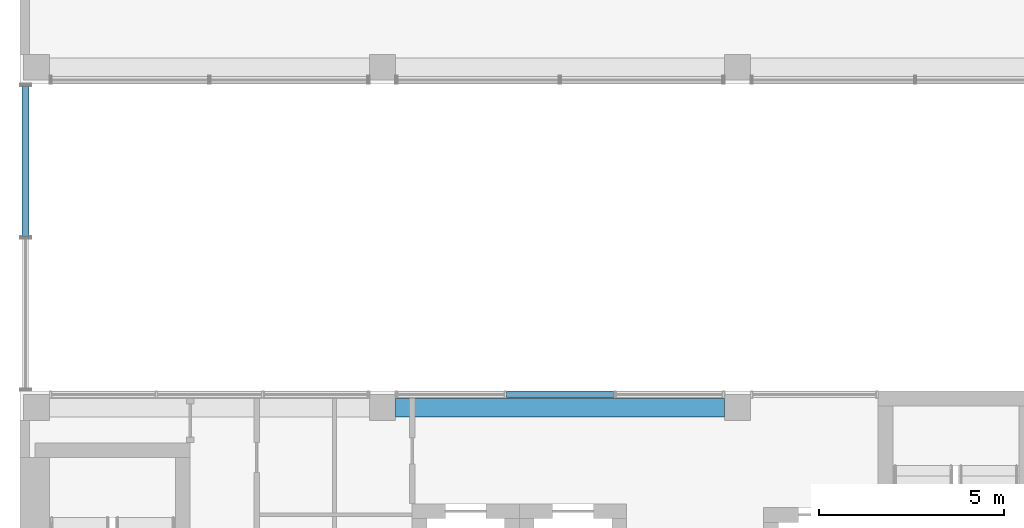
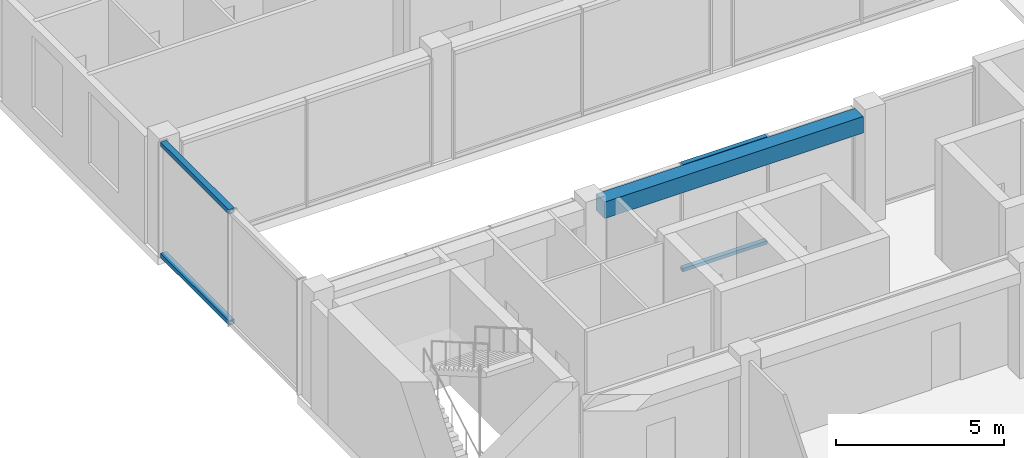
# One storey, part 7 of 27: 4 members, 1 beam, 2 elements without a shape of their own.
"""IFC4 building model written with IfcOpenShell, lengths in metres."""

from ifc_helpers import new_model, si_unit, direction, frame, origin, origin_2d, place, context, subcontext, project, spatial, rectangle, hollow_rectangle, extrude, material, layer, layer_set, material_profile, profile_set, type_object, element, aggregate, save


model = new_model("IFC4")

# Units and contexts
model_context = context("Model", 3, precision=1e-05, world=origin(), true_north=direction((0.0, 1.0)))
body_context = subcontext(model_context, "Body", "Model", "MODEL_VIEW")
ifc_project = project(units=[si_unit("LENGTHUNIT", "METRE"), si_unit("AREAUNIT", "SQUARE_METRE"), si_unit("VOLUMEUNIT", "CUBIC_METRE"), si_unit("PLANEANGLEUNIT", "RADIAN"), si_unit("MASSUNIT", "GRAM", prefix="KILO")], contexts=[model_context])

# Site, building, storey
site_placement = place(None, origin())
site = spatial("IfcSite", under=ifc_project, at=site_placement, CompositionType="ELEMENT")
building_placement = place(site_placement, origin())
building = spatial("IfcBuilding", under=site, at=building_placement, Name="Nzadi Deep Aquarium and Research Tower", CompositionType="ELEMENT")
storey_placement = place(building_placement, frame((0.0, 0.0, 69.699951171875)))
storey = spatial("IfcBuildingStorey", under=building, at=storey_placement, Name="L14", CompositionType="ELEMENT", Elevation=69.699951171875)

# Beam
ifc_material_1 = material(Name="Concrete C35/45", Category="concrete")
ifc_material_profile_1 = material_profile(ifc_material_1, rectangle(XDim=0.5, YDim=0.60009765625, at=origin_2d()))
ifc_profile_set_1 = profile_set([ifc_material_profile_1], Name="Concrete C35/45")
beam_type = type_object("IfcBeamType", Name="RC 500x600", PredefinedType="BEAM", material=ifc_profile_set_1)
beam_placement = place(storey_placement, frame((9.949951171875, 18.39990234375, 3.60009765625), z_axis=(1.0, 0.0, 0.0), x_axis=(0.0, 1.0, 0.0)))
element("IfcBeam", 1, at=beam_placement, inside=storey, type_object=beam_type, Name="B-Z1-L14-L3-2", PredefinedType="BEAM", context=body_context, shape_type="SweptSolid", body=[
    extrude(rectangle(XDim=0.5, YDim=0.60009765625, at=origin_2d()), origin(), (0.0, 0.0, 1.0), 8.900146484375),
])

# Curtain wall, members
ifc_material_2 = material(Name="Aluminium unitised frame", Category="aluminium")
ifc_layer_1 = layer(ifc_material_2, 0.199951171875)
ifc_layer_set_1 = layer_set([ifc_layer_1], Name="Aluminium unitised frame")
curtain_wall_type_1 = type_object("IfcCurtainWallType", Name="Curtain wall Unitised 200", PredefinedType="NOTDEFINED", material=ifc_layer_set_1)
curtain_wall_1_placement = place(storey_placement, origin())
curtain_wall_1 = element("IfcCurtainWall", 2, at=curtain_wall_1_placement, inside=storey, type_object=curtain_wall_type_1, Name="Unitised curtain wall blade A north L14", PredefinedType="NOTDEFINED")
ifc_material_3 = material(Name="Aluminium unitised frame", Category="aluminium")
ifc_material_profile_2 = material_profile(ifc_material_3, hollow_rectangle(XDim=0.159912109375, YDim=0.1201171875, WallThickness=0.0048828125, at=origin_2d()))
ifc_profile_set_2 = profile_set([ifc_material_profile_2], Name="Aluminium unitised frame")
member_type_1 = type_object("IfcMemberType", Name="Transom 120x160 Unitised", PredefinedType="MULLION", material=ifc_profile_set_2)
member_1_placement = place(storey_placement, frame((12.94677734375, 18.75, 0.06005859375), z_axis=(1.0, 0.0, 0.0), x_axis=(0.0, 1.0, 0.0)))
member_1 = element("IfcMember", 3, at=member_1_placement, type_object=member_type_1, Name="CW066 transom 2.1", PredefinedType="MULLION", context=body_context, shape_type="SweptSolid", body=[
    extrude(hollow_rectangle(XDim=0.159912109375, YDim=0.1201171875, WallThickness=0.0048828125, at=origin_2d()), origin(), (0.0, 0.0, 1.0), 2.906494140625),
])
member_2_placement = place(storey_placement, frame((12.94677734375, 18.75, 3.840087890625), z_axis=(1.0, 0.0, 0.0), x_axis=(0.0, 1.0, 0.0)))
member_2 = element("IfcMember", 4, at=member_2_placement, type_object=member_type_1, Name="CW066 transom 2.2", PredefinedType="MULLION", context=body_context, shape_type="SweptSolid", body=[
    extrude(hollow_rectangle(XDim=0.159912109375, YDim=0.1201171875, WallThickness=0.0048828125, at=origin_2d()), origin(), (0.0, 0.0, 1.0), 2.906494140625),
])
aggregate(curtain_wall_1, [member_1, member_2])

ifc_material_4 = material(Name="Aluminium unitised frame wind post", Category="aluminium")
ifc_layer_2 = layer(ifc_material_4, 0.300048828125)
ifc_layer_set_2 = layer_set([ifc_layer_2], Name="Aluminium unitised frame wind post")
curtain_wall_type_2 = type_object("IfcCurtainWallType", Name="Curtain wall Slot End 300", PredefinedType="NOTDEFINED", material=ifc_layer_set_2)
curtain_wall_2_placement = place(storey_placement, origin())
curtain_wall_2 = element("IfcCurtainWall", 5, at=curtain_wall_2_placement, inside=storey, type_object=curtain_wall_type_2, Name="Glazed slot end west L14", PredefinedType="NOTDEFINED")
ifc_material_5 = material(Name="Aluminium unitised frame wind post", Category="aluminium")
ifc_material_profile_3 = material_profile(ifc_material_5, hollow_rectangle(XDim=0.199951171875, YDim=0.159912109375, WallThickness=0.0048828125, at=origin_2d()))
ifc_profile_set_3 = profile_set([ifc_material_profile_3], Name="Aluminium unitised frame wind post")
member_type_2 = type_object("IfcMemberType", Name="Transom 160x200 Slot End", PredefinedType="MULLION", material=ifc_profile_set_3)
member_3_placement = place(storey_placement, frame((-0.050048828125, 23.030029296875, 0.080078125), z_axis=(0.0, 1.0, 0.0), x_axis=(-1.0, 0.0, 0.0)))
member_3 = element("IfcMember", 6, at=member_3_placement, type_object=member_type_2, Name="CW219 transom 2.1", PredefinedType="MULLION", context=body_context, shape_type="SweptSolid", body=[
    extrude(hollow_rectangle(XDim=0.199951171875, YDim=0.159912109375, WallThickness=0.0048828125, at=origin_2d()), origin(), (0.0, 0.0, 1.0), 4.06005859375),
])
member_4_placement = place(storey_placement, frame((-0.050048828125, 23.030029296875, 4.1201171875), z_axis=(0.0, 1.0, 0.0), x_axis=(-1.0, 0.0, 0.0)))
member_4 = element("IfcMember", 7, at=member_4_placement, type_object=member_type_2, Name="CW219 transom 2.2", PredefinedType="MULLION", context=body_context, shape_type="SweptSolid", body=[
    extrude(hollow_rectangle(XDim=0.199951171875, YDim=0.159912109375, WallThickness=0.0048828125, at=origin_2d()), origin(), (0.0, 0.0, 1.0), 4.06005859375),
])
aggregate(curtain_wall_2, [member_3, member_4])

save(model, "model.ifc")
